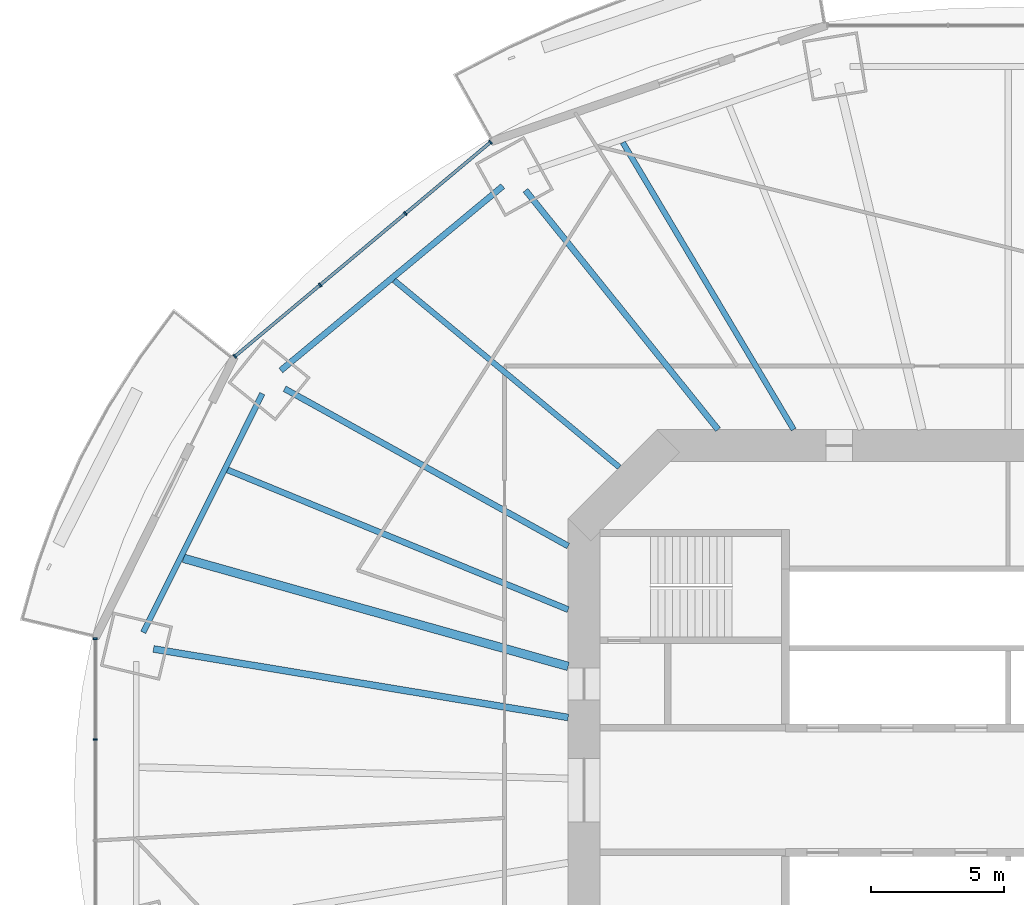
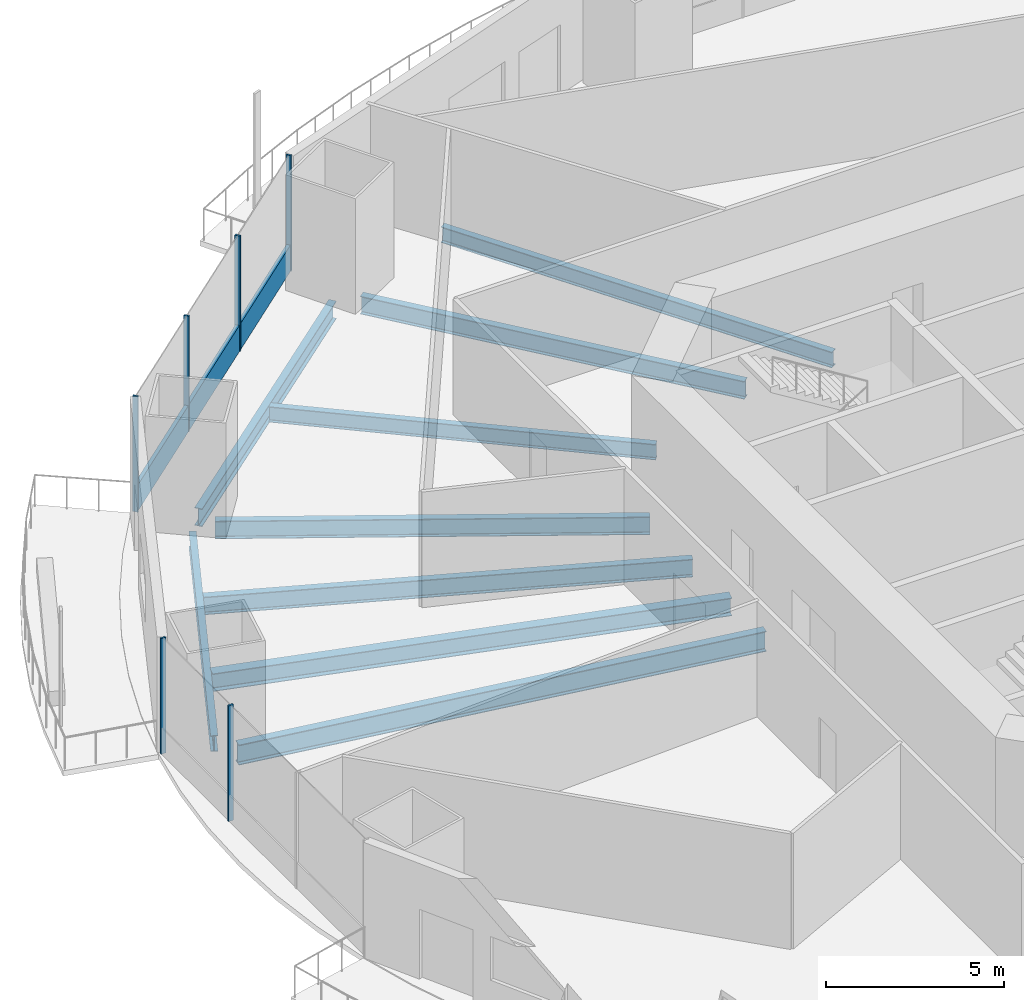
# One storey, part 6 of 22: 9 beams, 7 members, 2 elements without a shape of their own.
"""IFC4 building model written with IfcOpenShell, lengths in metres."""

from ifc_helpers import new_model, si_unit, direction, frame, origin, origin_2d, place, context, subcontext, project, spatial, rectangle, i_section, extrude, material, material_profile, profile_set, type_object, element, aggregate, save


model = new_model("IFC4")

# Units and contexts
model_context = context("Model", 3, precision=1e-05, world=origin(), true_north=direction((0.0, 1.0)))
body_context = subcontext(model_context, "Body", "Model", "MODEL_VIEW")
ifc_project = project(units=[si_unit("LENGTHUNIT", "METRE"), si_unit("AREAUNIT", "SQUARE_METRE"), si_unit("VOLUMEUNIT", "CUBIC_METRE"), si_unit("PLANEANGLEUNIT", "RADIAN"), si_unit("MASSUNIT", "GRAM", prefix="KILO")], contexts=[model_context])

# Site, building, storey
site_placement = place(None, origin())
site = spatial("IfcSite", under=ifc_project, at=site_placement, CompositionType="ELEMENT")
building_placement = place(site_placement, origin())
building = spatial("IfcBuilding", under=site, at=building_placement, Name="Marenthal Gate Tower", CompositionType="ELEMENT")
storey_placement = place(building_placement, frame((0.0, 0.0, 86.949951171875)))
storey = spatial("IfcBuildingStorey", under=building, at=storey_placement, Name="L17", CompositionType="ELEMENT", Elevation=86.949951171875)

# Curtain wall, members
ifc_material_1 = material(Name="Aluminium and glass", Category="aluminium")
curtain_wall_type = type_object("IfcCurtainWallType", Name="Curtain wall typical low", PredefinedType="NOTDEFINED", material=ifc_material_1)
curtain_wall_1_placement = place(storey_placement, origin())
curtain_wall_1 = element("IfcCurtainWall", 1, at=curtain_wall_1_placement, inside=storey, type_object=curtain_wall_type, Name="Curtain wall L17 bay 6", PredefinedType="NOTDEFINED")
ifc_material_2 = material(Name="Aluminium", Category="aluminium")
ifc_material_profile_1 = material_profile(ifc_material_2, rectangle(XDim=0.159912109375, YDim=0.06005859375, at=origin_2d()), Name="60x160 aluminium mullion")
ifc_profile_set_1 = profile_set([ifc_material_profile_1], Name="Aluminium")
member_type_1 = type_object("IfcMemberType", Name="Mullion 60x160 typical low", PredefinedType="MULLION", material=ifc_profile_set_1)
member_1_placement = place(storey_placement, frame((-19.529541015625, 24.44091796875, 0.0), z_axis=(0.0, 0.0, 1.0), x_axis=(0.642228281301, -0.766513427604, 0.0)))
member_1 = element("IfcMember", 2, at=member_1_placement, type_object=member_type_1, Name="Mullion L17 bay 6.1", PredefinedType="MULLION", context=body_context, shape_type="SweptSolid", body=[
    extrude(rectangle(XDim=0.159912109375, YDim=0.06005859375, at=origin_2d()), origin(), (0.0, 0.0, 1.0), 3.969970703125),
])
member_2_placement = place(storey_placement, frame((-22.7431640625, 21.748291015625, 0.0), z_axis=(0.0, 0.0, 1.0), x_axis=(0.642228281301, -0.766513427604, 0.0)))
member_2 = element("IfcMember", 3, at=member_2_placement, type_object=member_type_1, Name="Mullion L17 bay 6.2", PredefinedType="MULLION", context=body_context, shape_type="SweptSolid", body=[
    extrude(rectangle(XDim=0.159912109375, YDim=0.06005859375, at=origin_2d()), origin(), (0.0, 0.0, 1.0), 3.969970703125),
])
member_3_placement = place(storey_placement, frame((-25.95703125, 19.0556640625, 0.0), z_axis=(0.0, 0.0, 1.0), x_axis=(0.642228281301, -0.766513427604, 0.0)))
member_3 = element("IfcMember", 4, at=member_3_placement, type_object=member_type_1, Name="Mullion L17 bay 6.3", PredefinedType="MULLION", context=body_context, shape_type="SweptSolid", body=[
    extrude(rectangle(XDim=0.159912109375, YDim=0.06005859375, at=origin_2d()), origin(), (0.0, 0.0, 1.0), 3.969970703125),
])
member_4_placement = place(storey_placement, frame((-29.170654296875, 16.363037109375, 0.0), z_axis=(0.0, 0.0, 1.0), x_axis=(0.642228281301, -0.766513427604, 0.0)))
member_4 = element("IfcMember", 5, at=member_4_placement, type_object=member_type_1, Name="Mullion L17 bay 6.4", PredefinedType="MULLION", context=body_context, shape_type="SweptSolid", body=[
    extrude(rectangle(XDim=0.159912109375, YDim=0.06005859375, at=origin_2d()), origin(), (0.0, 0.0, 1.0), 3.969970703125),
])

curtain_wall_2_placement = place(storey_placement, origin())
curtain_wall_2 = element("IfcCurtainWall", 6, at=curtain_wall_2_placement, inside=storey, type_object=curtain_wall_type, Name="Curtain wall L17 bay 8", PredefinedType="NOTDEFINED")
member_5_placement = place(storey_placement, frame((-34.436279296875, 5.709228515625, 0.0), z_axis=(0.0, 0.0, 1.0), x_axis=(1.0, 0.0, 0.0)))
member_5 = element("IfcMember", 7, at=member_5_placement, type_object=member_type_1, Name="Mullion L17 bay 8.1", PredefinedType="MULLION", context=body_context, shape_type="SweptSolid", body=[
    extrude(rectangle(XDim=0.159912109375, YDim=0.06005859375, at=origin_2d()), origin(), (0.0, 0.0, 1.0), 3.969970703125),
])
member_6_placement = place(storey_placement, frame((-34.436279296875, 1.903076171875, 0.0), z_axis=(0.0, 0.0, 1.0), x_axis=(1.0, 0.0, 0.0)))
member_6 = element("IfcMember", 8, at=member_6_placement, type_object=member_type_1, Name="Mullion L17 bay 8.2", PredefinedType="MULLION", context=body_context, shape_type="SweptSolid", body=[
    extrude(rectangle(XDim=0.159912109375, YDim=0.06005859375, at=origin_2d()), origin(), (0.0, 0.0, 1.0), 3.969970703125),
])
aggregate(curtain_wall_2, [member_5, member_6])

# Member
ifc_material_3 = material(Name="Aluminium", Category="aluminium")
ifc_material_profile_2 = material_profile(ifc_material_3, rectangle(XDim=0.1201171875, YDim=0.89990234375, at=origin_2d()), Name="120x900 aluminium transom")
ifc_profile_set_2 = profile_set([ifc_material_profile_2], Name="Aluminium")
member_type_2 = type_object("IfcMemberType", Name="Transom 120x900 typical low", PredefinedType="USERDEFINED", material=ifc_profile_set_2)
member_7_placement = place(storey_placement, frame((-19.552490234375, 24.421630859375, 0.449951171875), z_axis=(-0.766517626831, -0.642223269399, 0.0), x_axis=(0.642223269399, -0.766517626831, 0.0)))
member_7 = element("IfcMember", 9, at=member_7_placement, type_object=member_type_2, Name="Transom L17 bay 6", ObjectType="TRANSOM", PredefinedType="USERDEFINED", context=body_context, shape_type="SweptSolid", body=[
    extrude(rectangle(XDim=0.1201171875, YDim=0.89990234375, at=origin_2d()), origin(), (0.0, 0.0, 1.0), 12.517822265625),
])

aggregate(curtain_wall_1, [member_1, member_2, member_3, member_4, member_7])

# Beams
ifc_material_4 = material(Name="Steel S355", Category="steel")
ifc_material_profile_3 = material_profile(ifc_material_4, i_section(OverallWidth=0.2099609375, OverallDepth=0.535888671875, WebThickness=0.010986328125, FlangeThickness=0.017333984375, FilletRadius=0.0126953125, at=origin_2d()), Name="W530X101")
ifc_profile_set_3 = profile_set([ifc_material_profile_3], Name="Steel S355")
beam_type_1 = type_object("IfcBeamType", Name="W530X101 beam", PredefinedType="BEAM", material=ifc_profile_set_3)
beam_1_placement = place(storey_placement, frame((-23.164794921875, 19.23193359375, -0.447998046875), z_axis=(0.769390815443, -0.638778344273, 0.0), x_axis=(0.638778344273, 0.769390815443, 0.0)))
element("IfcBeam", 10, at=beam_1_placement, inside=storey, type_object=beam_type_1, Name="BM-L17-25", PredefinedType="BEAM", context=body_context, shape_type="SweptSolid", body=[
    extrude(i_section(OverallWidth=0.2099609375, OverallDepth=0.535888671875, WebThickness=0.010986328125, FlangeThickness=0.017333984375, FilletRadius=0.0126953125, at=origin_2d()), origin(), (0.0, 0.0, 1.0), 11.041259765625),
])
ifc_material_5 = material(Name="Steel S355", Category="steel")
ifc_material_profile_4 = material_profile(ifc_material_5, i_section(OverallWidth=0.2119140625, OverallDepth=0.5439453125, WebThickness=0.01318359375, FlangeThickness=0.021240234375, FilletRadius=0.0126953125, at=origin_2d()), Name="W530X123")
ifc_profile_set_4 = profile_set([ifc_material_profile_4], Name="Steel S355")
beam_type_2 = type_object("IfcBeamType", Name="W530X123 beam", PredefinedType="BEAM", material=ifc_profile_set_4)
beam_2_placement = place(storey_placement, frame((-14.539794921875, 24.431396484375, -0.451904296875), z_axis=(0.511416092882, -0.859333218223, 0.0), x_axis=(0.859333218223, 0.511416092882, 0.0)))
element("IfcBeam", 11, at=beam_2_placement, inside=storey, type_object=beam_type_2, Name="BM-L17-24", PredefinedType="BEAM", context=body_context, shape_type="SweptSolid", body=[
    extrude(i_section(OverallWidth=0.2119140625, OverallDepth=0.5439453125, WebThickness=0.01318359375, FlangeThickness=0.021240234375, FilletRadius=0.0126953125, at=origin_2d()), origin(), (0.0, 0.0, 1.0), 12.604248046875),
])
beam_3_placement = place(storey_placement, frame((-28.13671875, 14.95166015625, -0.451904296875), z_axis=(-0.446427279823, -0.894819916983, 0.0), x_axis=(0.894819916983, -0.446427279823, 0.0)))
element("IfcBeam", 12, at=beam_3_placement, inside=storey, type_object=beam_type_2, Name="BM-L17-47", PredefinedType="BEAM", context=body_context, shape_type="SweptSolid", body=[
    extrude(i_section(OverallWidth=0.2119140625, OverallDepth=0.5439453125, WebThickness=0.01318359375, FlangeThickness=0.021240234375, FilletRadius=0.0126953125, at=origin_2d()), origin(), (0.0, 0.0, 1.0), 10.06201171875),
])
ifc_material_6 = material(Name="Steel S355", Category="steel")
ifc_material_profile_5 = material_profile(ifc_material_6, i_section(OverallWidth=0.22900390625, OverallDepth=0.612060546875, WebThickness=0.011962890625, FlangeThickness=0.01953125, FilletRadius=0.0126953125, at=origin_2d()), Name="W610X125")
ifc_profile_set_5 = profile_set([ifc_material_profile_5], Name="Steel S355")
beam_type_3 = type_object("IfcBeamType", Name="W610X125 beam", PredefinedType="BEAM", material=ifc_profile_set_5)
beam_4_placement = place(storey_placement, frame((-18.210693359375, 22.626708984375, -0.48583984375), z_axis=(0.626999737325, -0.779019466634, 0.0), x_axis=(0.779019466634, 0.626999737325, 0.0)))
element("IfcBeam", 13, at=beam_4_placement, inside=storey, type_object=beam_type_3, Name="BM-L17-06", PredefinedType="BEAM", context=body_context, shape_type="SweptSolid", body=[
    extrude(i_section(OverallWidth=0.22900390625, OverallDepth=0.612060546875, WebThickness=0.011962890625, FlangeThickness=0.01953125, FilletRadius=0.0126953125, at=origin_2d()), origin(), (0.0, 0.0, 1.0), 11.587158203125),
])
beam_5_placement = place(storey_placement, frame((-27.296630859375, 15.142333984375, -0.48583984375), z_axis=(0.874458374023, -0.485100558752, 0.0), x_axis=(0.485100558752, 0.874458374023, 0.0)))
element("IfcBeam", 14, at=beam_5_placement, inside=storey, type_object=beam_type_3, Name="BM-L17-07", PredefinedType="BEAM", context=body_context, shape_type="SweptSolid", body=[
    extrude(i_section(OverallWidth=0.22900390625, OverallDepth=0.612060546875, WebThickness=0.011962890625, FlangeThickness=0.01953125, FilletRadius=0.0126953125, at=origin_2d()), origin(), (0.0, 0.0, 1.0), 12.232177734375),
])
beam_6_placement = place(storey_placement, frame((-29.45068359375, 12.08056640625, -0.48583984375), z_axis=(0.925188716507, -0.379507363365, 0.0), x_axis=(0.379507363365, 0.925188716507, 0.0)))
element("IfcBeam", 15, at=beam_6_placement, inside=storey, type_object=beam_type_3, Name="BM-L17-26", PredefinedType="BEAM", context=body_context, shape_type="SweptSolid", body=[
    extrude(i_section(OverallWidth=0.22900390625, OverallDepth=0.612060546875, WebThickness=0.011962890625, FlangeThickness=0.01953125, FilletRadius=0.0126953125, at=origin_2d()), origin(), (0.0, 0.0, 1.0), 13.8896484375),
])
beam_7_placement = place(storey_placement, frame((-19.066162109375, 22.783447265625, -0.48583984375), z_axis=(-0.769402188258, -0.638764645784, 0.0), x_axis=(0.638764645784, -0.769402188258, 0.0)))
element("IfcBeam", 16, at=beam_7_placement, inside=storey, type_object=beam_type_3, Name="BM-L17-46", PredefinedType="BEAM", context=body_context, shape_type="SweptSolid", body=[
    extrude(i_section(OverallWidth=0.22900390625, OverallDepth=0.612060546875, WebThickness=0.011962890625, FlangeThickness=0.01953125, FilletRadius=0.0126953125, at=origin_2d()), origin(), (0.0, 0.0, 1.0), 10.884033203125),
])
ifc_material_7 = material(Name="Steel S355", Category="steel")
ifc_material_profile_6 = material_profile(ifc_material_7, i_section(OverallWidth=0.324951171875, OverallDepth=0.612060546875, WebThickness=0.0126953125, FlangeThickness=0.01904296875, FilletRadius=0.0126953125, at=origin_2d()), Name="W610X155")
ifc_profile_set_6 = profile_set([ifc_material_profile_6], Name="Steel S355")
beam_type_4 = type_object("IfcBeamType", Name="W610X155 beam", PredefinedType="BEAM", material=ifc_profile_set_6)
beam_8_placement = place(storey_placement, frame((-31.114013671875, 8.74658203125, -0.48583984375), z_axis=(0.962684828959, -0.270625054443, 0.0), x_axis=(0.270625054443, 0.962684828959, 0.0)))
element("IfcBeam", 17, at=beam_8_placement, inside=storey, type_object=beam_type_4, Name="BM-L17-27", PredefinedType="BEAM", context=body_context, shape_type="SweptSolid", body=[
    extrude(i_section(OverallWidth=0.324951171875, OverallDepth=0.612060546875, WebThickness=0.0126953125, FlangeThickness=0.01904296875, FilletRadius=0.0126953125, at=origin_2d()), origin(), (0.0, 0.0, 1.0), 15.076416015625),
])
ifc_material_8 = material(Name="Steel S355", Category="steel")
ifc_material_profile_7 = material_profile(ifc_material_8, i_section(OverallWidth=0.257080078125, OverallDepth=0.693115234375, WebThickness=0.014404296875, FlangeThickness=0.023681640625, FilletRadius=0.015380859375, at=origin_2d()), Name="W690X170")
ifc_profile_set_7 = profile_set([ifc_material_profile_7], Name="Steel S355")
beam_type_5 = type_object("IfcBeamType", Name="W690X170 beam", PredefinedType="BEAM", material=ifc_profile_set_7)
beam_9_placement = place(storey_placement, frame((-32.242431640625, 5.324462890625, -0.5263671875), z_axis=(0.986636314494, -0.162937972619, 0.0), x_axis=(0.162937972619, 0.986636314494, 0.0)))
element("IfcBeam", 18, at=beam_9_placement, inside=storey, type_object=beam_type_5, Name="BM-L17-08", PredefinedType="BEAM", context=body_context, shape_type="SweptSolid", body=[
    extrude(i_section(OverallWidth=0.257080078125, OverallDepth=0.693115234375, WebThickness=0.014404296875, FlangeThickness=0.023681640625, FilletRadius=0.015380859375, at=origin_2d()), origin(), (0.0, 0.0, 1.0), 15.854248046875),
])

save(model, "model.ifc")
